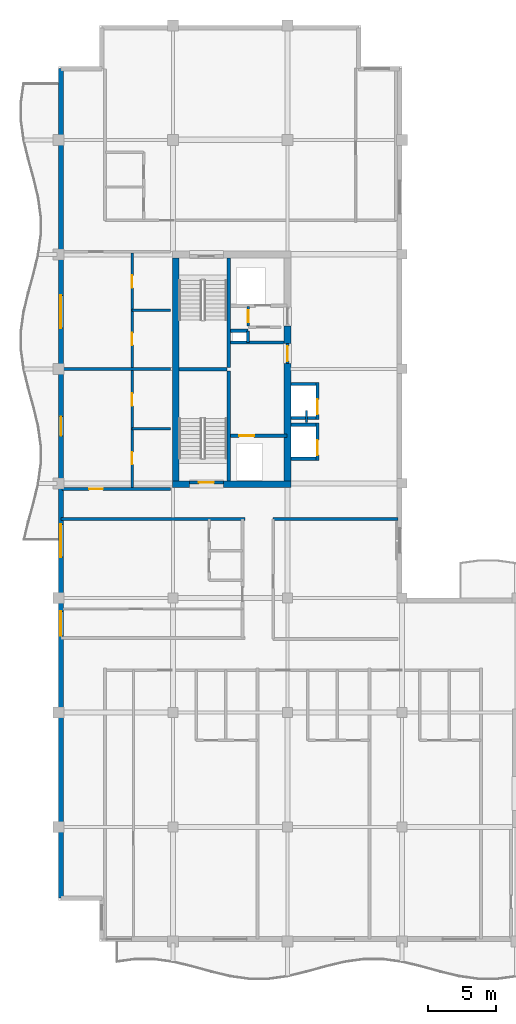
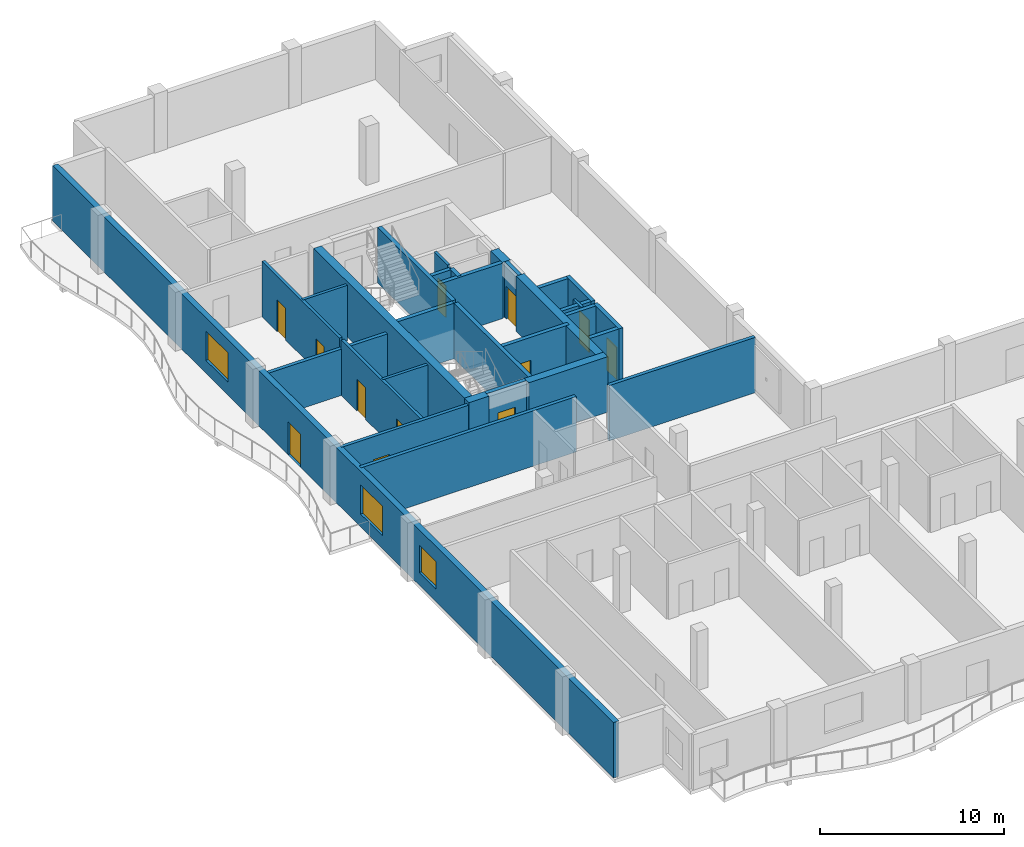
# One storey, part 6 of 11: 31 walls, 12 doors, 3 windows, 15 openings.
"""IFC4 building model written with IfcOpenShell, lengths in metres."""

import ifcopenshell
import ifcopenshell.guid

model = None  # the IFC model being written
_history = None  # IfcOwnerHistory: only IFC2X3 demands one
_inside = {}  # id of a spatial element -> (the spatial element, [elements in it])
_under = {}  # id of a project, library or spatial element -> (it, [spatial elements below it])
_declared = {}  # id of a project -> (the project, [libraries it declares])
_typed = {}  # id of a type object -> (the type object, [elements of that type])
_made_of = {}  # id of a material, layer set ... -> (it, [elements and type objects made of it])


def new_model(schema):
    """Start an empty IFC model of exactly this schema.

    Asked for "IFC4X3", IfcOpenShell would pick the latest addendum, in which some entities
    have other attributes; the version numbers below select the first issue.
    IFC2X3 requires an IfcOwnerHistory on every rooted entity: one is made here for all.
    """
    global model, _history
    if schema == "IFC4X3":
        model = ifcopenshell.file(schema_version=(4, 3, 0, 0))
    else:
        model = ifcopenshell.file(schema=schema)
    _inside.clear()
    _under.clear()
    _declared.clear()
    _typed.clear()
    _made_of.clear()
    _history = None
    if model.schema == "IFC2X3":
        org = make("IfcOrganization", Name="unknown")
        user = make(
            "IfcPersonAndOrganization",
            ThePerson=make("IfcPerson", FamilyName="unknown"),
            TheOrganization=org,
        )
        app = make(
            "IfcApplication",
            ApplicationDeveloper=org,
            Version="unknown",
            ApplicationFullName="unknown",
            ApplicationIdentifier="unknown",
        )
        _history = make(
            "IfcOwnerHistory",
            OwningUser=user,
            OwningApplication=app,
            ChangeAction="ADDED",
            CreationDate=0,
        )
    return model


def make(cls, **values):
    """One entity of the class cls with the attributes given. An attribute that is None is left unset."""
    return model.create_entity(
        cls, **{name: value for name, value in values.items() if value is not None}
    )


def rooted(cls, **values):
    """An entity with a GlobalId (a new one), such as an element, a storey or a relation."""
    return make(cls, GlobalId=ifcopenshell.guid.new(), OwnerHistory=_history, **values)


def si_unit(unit_type, name, prefix=None):
    """IfcSIUnit, for example si_unit("LENGTHUNIT", "METRE", prefix="MILLI")."""
    return make("IfcSIUnit", UnitType=unit_type, Prefix=prefix, Name=name)


def assignment(units):
    """IfcUnitAssignment: the units of a project."""
    return None if units is None else make("IfcUnitAssignment", Units=units)


def point(xyz):
    """IfcCartesianPoint."""
    return None if xyz is None else make("IfcCartesianPoint", Coordinates=xyz)


def direction(xyz):
    """IfcDirection."""
    return None if xyz is None else make("IfcDirection", DirectionRatios=xyz)


def frame(location, z_axis=None, x_axis=None):
    """IfcAxis2Placement3D, a coordinate frame: its origin and axes. An axis left out is left unset."""
    return make(
        "IfcAxis2Placement3D",
        Location=point(location),
        Axis=direction(z_axis),
        RefDirection=direction(x_axis),
    )


def frame_2d(location, x_axis=None):
    """IfcAxis2Placement2D, a coordinate frame in the plane: its origin and x axis."""
    return make(
        "IfcAxis2Placement2D", Location=point(location), RefDirection=direction(x_axis)
    )


def origin():
    """The frame at (0, 0, 0) with its axes left unset."""
    return frame((0.0, 0.0, 0.0))


def place(relative_to, where):
    """IfcLocalPlacement: puts the frame where relative to a parent placement (None: the world)."""
    return make(
        "IfcLocalPlacement", PlacementRelTo=relative_to, RelativePlacement=where
    )


def context(
    kind, dimensions, precision=None, world=None, true_north=None, identifier=None
):
    """IfcGeometricRepresentationContext, for example the 3D "Model" context."""
    return make(
        "IfcGeometricRepresentationContext",
        ContextIdentifier=identifier,
        ContextType=kind,
        CoordinateSpaceDimension=dimensions,
        Precision=precision,
        WorldCoordinateSystem=world,
        TrueNorth=true_north,
    )


def subcontext(parent, identifier, kind, view, scale=None):
    """IfcGeometricRepresentationSubContext, for example "Body" below "Model"."""
    return make(
        "IfcGeometricRepresentationSubContext",
        ContextIdentifier=identifier,
        ContextType=kind,
        ParentContext=parent,
        TargetScale=scale,
        TargetView=view,
    )


def project(units=None, contexts=None):
    """IfcProject with its units and contexts."""
    return rooted(
        "IfcProject",
        Name="project",
        RepresentationContexts=contexts,
        UnitsInContext=assignment(units),
    )


def spatial(cls, under=None, at=None, **own):
    """A site, building, storey or space (cls), placed at a placement, below another one or the project."""
    s = rooted(cls, ObjectPlacement=at, **own)
    if under is not None:
        _under.setdefault(under.id(), (under, []))[1].append(s)
    return s


def profile(cls, at=None, kind="AREA", **sizes):
    """A parametric profile (cls). Its sizes go by their IFC names, for example OverallWidth=200.0."""
    return make(cls, ProfileType=kind, Position=at, **sizes)


def rectangle(**sizes):
    """IfcRectangleProfileDef."""
    return profile("IfcRectangleProfileDef", **sizes)


def extrude(swept, where, along, depth):
    """IfcExtrudedAreaSolid: the profile swept, set in the frame where, extruded along a direction by depth."""
    return make(
        "IfcExtrudedAreaSolid",
        SweptArea=swept,
        Position=where,
        ExtrudedDirection=direction(along),
        Depth=depth,
    )


def shape(context_of_items, identifier, shape_type, items):
    """IfcShapeRepresentation: the items that make up one representation, for example the "Body"."""
    return make(
        "IfcShapeRepresentation",
        ContextOfItems=context_of_items,
        RepresentationIdentifier=identifier,
        RepresentationType=shape_type,
        Items=items,
    )


def material(Name=None, Category=None):
    """IfcMaterial."""
    return make("IfcMaterial", Name=Name, Category=Category)


def layer(
    of_material, thickness, ventilated=None, Name=None, Category=None, Priority=None
):
    """IfcMaterialLayer: one layer of a wall or slab, of a material (None: an air gap)."""
    return make(
        "IfcMaterialLayer",
        Material=of_material,
        LayerThickness=thickness,
        IsVentilated=ventilated,
        Name=Name,
        Category=Category,
        Priority=Priority,
    )


def layer_set(layers, Name=None):
    """IfcMaterialLayerSet."""
    return make("IfcMaterialLayerSet", MaterialLayers=layers, LayerSetName=Name)


def made_of(thing, what):
    """Note that an element or type object is made of a material, layer set ...; save() writes the relation."""
    if what is not None:
        _made_of.setdefault(what.id(), (what, []))[1].append(thing)
    return thing


def type_object(cls, material=None, **own):
    """A type object (cls), such as IfcWallType, which elements share."""
    return made_of(rooted(cls, **own), material)


def element(
    cls,
    number,
    at=None,
    inside=None,
    cuts=None,
    type_object=None,
    material=None,
    context=None,
    identifier="Body",
    shape_type=None,
    held_by="IfcProductDefinitionShape",
    body=None,
    shapes=None,
    **own,
):
    """One element of the class cls, such as IfcWall. Its Tag is "e" and its number.

    at: its placement. inside: the storey or other place that contains it. cuts: it is an
    opening in that element (IfcRelVoidsElement). A single representation is given by context,
    identifier, shape_type and body (its items); several are given by shapes. held_by: the class
    of the entity that holds the representations. save() writes the other relations.
    """
    e = rooted(cls, Tag="e%d" % number, ObjectPlacement=at, **own)
    if body is not None:
        shapes = [shape(context, identifier, shape_type, body)]
    if shapes is not None:
        e.Representation = make(held_by, Representations=shapes)
    if inside is not None:
        _inside.setdefault(inside.id(), (inside, []))[1].append(e)
    if cuts is not None:
        rooted(
            "IfcRelVoidsElement", RelatingBuildingElement=cuts, RelatedOpeningElement=e
        )
    if type_object is not None:
        _typed.setdefault(type_object.id(), (type_object, []))[1].append(e)
    return made_of(e, material)


def fill(opening, filler):
    """IfcRelFillsElement: the door or window that sits in an opening."""
    return rooted(
        "IfcRelFillsElement",
        RelatingOpeningElement=opening,
        RelatedBuildingElement=filler,
    )


def aggregate(whole, parts):
    """IfcRelAggregates: a whole, such as a stair, and the parts it consists of."""
    return rooted("IfcRelAggregates", RelatingObject=whole, RelatedObjects=parts)


def save(model, path):
    """Write the relations noted so far, then the file.

    IfcRelAggregates (storeys below a building ...), IfcRelContainedInSpatialStructure (elements
    in a storey), IfcRelDefinesByType, IfcRelAssociatesMaterial and IfcRelDeclares: one each for
    every whole, place, type object, material and project.
    """
    for whole, parts in _under.values():
        aggregate(whole, parts)
    for where, things in _inside.values():
        rooted(
            "IfcRelContainedInSpatialStructure",
            RelatedElements=things,
            RelatingStructure=where,
        )
    for kind, things in _typed.values():
        rooted("IfcRelDefinesByType", RelatedObjects=things, RelatingType=kind)
    for what, things in _made_of.values():
        rooted("IfcRelAssociatesMaterial", RelatedObjects=things, RelatingMaterial=what)
    for by, libraries in _declared.values():
        rooted("IfcRelDeclares", RelatingContext=by, RelatedDefinitions=libraries)
    model.write(path)


model = new_model("IFC4")

# Units and contexts
model_context = context("Model", 3, precision=1e-05, world=origin(), true_north=direction((0.0, 1.0)))
body_context = subcontext(model_context, "Body", "Model", "MODEL_VIEW")
ifc_project = project(units=[si_unit("LENGTHUNIT", "METRE"), si_unit("AREAUNIT", "SQUARE_METRE"), si_unit("VOLUMEUNIT", "CUBIC_METRE"), si_unit("PLANEANGLEUNIT", "RADIAN"), si_unit("MASSUNIT", "GRAM", prefix="KILO")], contexts=[model_context])

# Site, building, storey
site_placement = place(None, origin())
site = spatial("IfcSite", under=ifc_project, at=site_placement, CompositionType="ELEMENT")
building_placement = place(site_placement, origin())
building = spatial("IfcBuilding", under=site, at=building_placement, Name="Koriwani Terraces Tower", CompositionType="ELEMENT")
storey_placement = place(building_placement, frame((0.0, 0.0, 320.300048828125)))
storey = spatial("IfcBuildingStorey", under=building, at=storey_placement, Name="L79", CompositionType="ELEMENT", Elevation=320.300048828125)

# Walls
ifc_material_1 = material(Name="Concrete C50/60", Category="concrete")
ifc_layer_1 = layer(ifc_material_1, 0.5, Name="Concrete C50/60")
ifc_layer_set_1 = layer_set([ifc_layer_1], Name="Concrete C50/60")
wall_type_1 = type_object("IfcWallType", Name="WALL_CORE_RC_500", PredefinedType="SHEAR", material=ifc_layer_set_1)
wall_1_placement = place(storey_placement, frame((16.75, 41.949951171875, 0.0), z_axis=(0.0, 0.0, 1.0), x_axis=(1.0, 0.0, 0.0)))
element("IfcWall", 1, at=wall_1_placement, inside=storey, type_object=wall_type_1, Name="L79 West Split Core Shear Wall S1", PredefinedType="SHEAR", context=body_context, shape_type="SweptSolid", body=[
    extrude(rectangle(XDim=1.25, YDim=0.5, at=frame_2d((0.625, 0.0))), origin(), (0.0, 0.0, 1.0), 3.669921875),
])
wall_2_placement = place(storey_placement, frame((20.5, 41.949951171875, 0.0), z_axis=(0.0, 0.0, 1.0), x_axis=(1.0, 0.0, 0.0)))
element("IfcWall", 2, at=wall_2_placement, inside=storey, type_object=wall_type_1, Name="L79 West Split Core Shear Wall S2", PredefinedType="SHEAR", context=body_context, shape_type="SweptSolid", body=[
    extrude(rectangle(XDim=4.949951171875, YDim=0.5, at=frame_2d((2.47509765625, 0.0))), origin(), (0.0, 0.0, 1.0), 3.669921875),
])
wall_3_placement = place(storey_placement, frame((17.0, 42.199951171875, 0.0), z_axis=(0.0, 0.0, 1.0), x_axis=(0.0, 1.0, 0.0)))
element("IfcWall", 3, at=wall_3_placement, inside=storey, type_object=wall_type_1, Name="L79 West Split Core Shear Wall W1", PredefinedType="SHEAR", context=body_context, shape_type="SweptSolid", body=[
    extrude(rectangle(XDim=16.35009765625, YDim=0.5, at=frame_2d((8.175048828125, 0.0))), origin(), (0.0, 0.0, 1.0), 3.669921875),
])
wall_4_placement = place(storey_placement, frame((25.199951171875, 42.199951171875, 0.0), z_axis=(0.0, 0.0, 1.0), x_axis=(0.0, 1.0, 0.0)))
element("IfcWall", 4, at=wall_4_placement, inside=storey, type_object=wall_type_1, Name="L79 West Split Core Shear Wall E1", PredefinedType="SHEAR", context=body_context, shape_type="SweptSolid", body=[
    extrude(rectangle(XDim=8.60009765625, YDim=0.5, at=frame_2d((4.300048828125, 0.0))), origin(), (0.0, 0.0, 1.0), 3.669921875),
])
wall_5_placement = place(storey_placement, frame((25.199951171875, 52.280029296875, 0.0), z_axis=(0.0, 0.0, 1.0), x_axis=(0.0, 1.0, 0.0)))
element("IfcWall", 5, at=wall_5_placement, inside=storey, type_object=wall_type_1, Name="L79 West Split Core Shear Wall E2", PredefinedType="SHEAR", context=body_context, shape_type="SweptSolid", body=[
    extrude(rectangle(XDim=1.27001953125, YDim=0.5, at=frame_2d((0.635009765625, 0.0))), origin(), (0.0, 0.0, 1.0), 3.669921875),
])

# Wall, opening, door
ifc_material_2 = material(Name="Autoclaved Cellular Concrete Blockwork", Category="masonry")
ifc_layer_2 = layer(ifc_material_2, 0.199951171875, Name="Autoclaved Cellular Concrete Blockwork")
ifc_layer_set_2 = layer_set([ifc_layer_2], Name="Autoclaved Cellular Concrete Blockwork")
wall_type_2 = type_object("IfcWallType", Name="WALL_CORRIDOR_200", PredefinedType="PARTITIONING", material=ifc_layer_set_2)
wall_6_placement = place(storey_placement, frame((8.64990234375, 41.60009765625, 0.0), z_axis=(0.0, 0.0, 1.0), x_axis=(1.0, 0.0, 0.0)))
wall_6 = element("IfcWall", 6, at=wall_6_placement, inside=storey, type_object=wall_type_2, Name="L79 Interior Wall WRZ4-WS-L79", PredefinedType="PARTITIONING", context=body_context, shape_type="SweptSolid", body=[
    extrude(rectangle(XDim=7.9501953125, YDim=0.199951171875, at=frame_2d((3.97509765625, 0.0))), origin(), (0.0, 0.0, 1.0), 3.669921875),
])
opening_1_placement = place(wall_6_placement, frame((2.0, 0.0, 0.0)))
opening_1 = element("IfcOpeningElement", 7, at=opening_1_placement, cuts=wall_6, Name="Opening D-05", PredefinedType="OPENING", context=body_context, shape_type="SweptSolid", body=[
    extrude(rectangle(XDim=1.0, YDim=2.14990234375, at=frame_2d((0.5, 1.074951171875))), frame((0.0, 0.10986328125, 0.0), z_axis=(0.0, -1.0, 0.0), x_axis=(1.0, 0.0, 0.0)), (0.0, 0.0, 1.0), 0.219970703125),
])
ifc_material_3 = material(Name="Architectural Oak Fire Door", Category="wood")
door_type_1 = type_object("IfcDoorType", Name="DOOR_SUITE_ENTRY_1000X2150", OperationType="NOTDEFINED", PredefinedType="DOOR", material=ifc_material_3)
door_1_placement = place(opening_1_placement, origin())
door_1 = element("IfcDoor", 8, at=door_1_placement, inside=storey, type_object=door_type_1, Name="Apartment 79RW1 Entrance Door", OperationType="SINGLE_SWING_RIGHT", OverallHeight=2.14990234375, OverallWidth=1.0, PredefinedType="DOOR", context=body_context, shape_type="SweptSolid", body=[
    extrude(rectangle(XDim=1.0, YDim=2.14990234375, at=frame_2d((0.5, 1.074951171875))), frame((0.0, 0.02490234375, 0.0), z_axis=(0.0, -1.0, 0.0), x_axis=(1.0, 0.0, 0.0)), (0.0, 0.0, 1.0), 0.050048828125),
])
fill(opening_1, door_1)

# Walls
ifc_layer_3 = layer(ifc_material_2, 0.219970703125, Name="Autoclaved Cellular Concrete Blockwork")
ifc_layer_set_3 = layer_set([ifc_layer_3], Name="Autoclaved Cellular Concrete Blockwork")
wall_type_3 = type_object("IfcWallType", Name="WALL_DEMISING_220", PredefinedType="PARTITIONING", material=ifc_layer_set_3)
wall_7_placement = place(storey_placement, frame((24.14990234375, 39.39990234375, 0.0), z_axis=(0.0, 0.0, 1.0), x_axis=(1.0, 0.0, 0.0)))
element("IfcWall", 9, at=wall_7_placement, inside=storey, type_object=wall_type_3, Name="L79 Interior Wall WIC4WN-L79", PredefinedType="PARTITIONING", context=body_context, shape_type="SweptSolid", body=[
    extrude(rectangle(XDim=9.150146484375, YDim=0.219970703125, at=frame_2d((4.5751953125, 0.0))), origin(), (0.0, 0.0, 1.0), 3.669921875),
])
wall_8_placement = place(storey_placement, frame((8.64990234375, 50.39990234375, 0.0), z_axis=(0.0, 0.0, 1.0), x_axis=(1.0, 0.0, 0.0)))
element("IfcWall", 10, at=wall_8_placement, inside=storey, type_object=wall_type_3, Name="L79 Interior Wall WRZ4-WM-L79", PredefinedType="PARTITIONING", context=body_context, shape_type="SweptSolid", body=[
    extrude(rectangle(XDim=7.9501953125, YDim=0.219970703125, at=frame_2d((3.97509765625, 0.0))), origin(), (0.0, 0.0, 1.0), 3.070068359375),
])
wall_9_placement = place(storey_placement, frame((8.60009765625, 39.39990234375, 0.0), z_axis=(0.0, 0.0, 1.0), x_axis=(1.0, 0.0, 0.0)))
element("IfcWall", 11, at=wall_9_placement, inside=storey, type_object=wall_type_3, Name="L79 Interior Wall WRDEME-L79-NE", PredefinedType="PARTITIONING", context=body_context, shape_type="SweptSolid", body=[
    extrude(rectangle(XDim=13.47998046875, YDim=0.219970703125, at=frame_2d((6.739990234375, 0.0))), origin(), (0.0, 0.0, 1.0), 3.669921875),
])

# Wall, openings, door, windows
ifc_layer_4 = layer(ifc_material_1, 0.35009765625, Name="Concrete C50/60")
ifc_layer_set_4 = layer_set([ifc_layer_4], Name="Concrete C50/60")
wall_type_4 = type_object("IfcWallType", Name="WALL_EXT_BRUTALIST_350", PredefinedType="STANDARD", material=ifc_layer_set_4)
wall_10_placement = place(storey_placement, frame((8.574951171875, 11.574951171875, 0.0), z_axis=(0.0, 0.0, 1.0), x_axis=(0.0, 1.0, 0.0)))
wall_10 = element("IfcWall", 12, at=wall_10_placement, inside=storey, type_object=wall_type_4, Name="L79 Fair-Faced Brutalist Exterior Wall (W)", PredefinedType="STANDARD", context=body_context, shape_type="SweptSolid", body=[
    extrude(rectangle(XDim=60.85009765625, YDim=0.35009765625, at=frame_2d((30.425048828125, 0.0))), origin(), (0.0, 0.0, 1.0), 3.669921875),
])
opening_2_placement = place(wall_10_placement, frame((33.925048828125, 0.0, 0.0)))
opening_2 = element("IfcOpeningElement", 13, at=opening_2_placement, cuts=wall_10, Name="Opening D-09", PredefinedType="OPENING", context=body_context, shape_type="SweptSolid", body=[
    extrude(rectangle(XDim=1.39990234375, YDim=2.199951171875, at=frame_2d((0.699951171875, 1.10009765625))), frame((0.0, 0.18505859375, 0.0), z_axis=(0.0, -1.0, 0.0), x_axis=(1.0, 0.0, 0.0)), (0.0, 0.0, 1.0), 0.3701171875),
])
opening_3_placement = place(wall_10_placement, frame((25.02490234375, 0.0, 0.85009765625)))
opening_3 = element("IfcOpeningElement", 14, at=opening_3_placement, cuts=wall_10, Name="Opening W-03", PredefinedType="OPENING", context=body_context, shape_type="SweptSolid", body=[
    extrude(rectangle(XDim=2.39990234375, YDim=1.949951171875, at=frame_2d((1.199951171875, 0.97509765625))), frame((0.0, 0.18505859375, 0.0), z_axis=(0.0, -1.0, 0.0), x_axis=(1.0, 0.0, 0.0)), (0.0, 0.0, 1.0), 0.3701171875),
])
opening_4_placement = place(wall_10_placement, frame((41.824951171875, 0.0, 0.85009765625)))
opening_4 = element("IfcOpeningElement", 15, at=opening_4_placement, cuts=wall_10, Name="Opening W-03", PredefinedType="OPENING", context=body_context, shape_type="SweptSolid", body=[
    extrude(rectangle(XDim=2.39990234375, YDim=1.949951171875, at=frame_2d((1.199951171875, 0.97509765625))), frame((0.0, 0.18505859375, 0.0), z_axis=(0.0, -1.0, 0.0), x_axis=(1.0, 0.0, 0.0)), (0.0, 0.0, 1.0), 0.3701171875),
])
opening_5_placement = place(wall_10_placement, frame((19.25, 0.0, 0.85009765625)))
opening_5 = element("IfcOpeningElement", 16, at=opening_5_placement, cuts=wall_10, Name="Opening W-04", PredefinedType="OPENING", context=body_context, shape_type="SweptSolid", body=[
    extrude(rectangle(XDim=1.800048828125, YDim=1.800048828125, at=frame_2d((0.89990234375, 0.89990234375))), frame((0.0, 0.18505859375, 0.0), z_axis=(0.0, -1.0, 0.0), x_axis=(1.0, 0.0, 0.0)), (0.0, 0.0, 1.0), 0.3701171875),
])
ifc_material_4 = material(Name="Anodised Bronze Aluminium", Category="aluminium")
door_type_2 = type_object("IfcDoorType", Name="DOOR_BALCONY_GLAZED_1400X2200", OperationType="NOTDEFINED", PredefinedType="DOOR", material=ifc_material_4)
door_2_placement = place(opening_2_placement, origin())
door_2 = element("IfcDoor", 17, at=door_2_placement, inside=storey, type_object=door_type_2, Name="L79 West Balcony Glazed Door", OperationType="SINGLE_SWING_LEFT", OverallHeight=2.199951171875, OverallWidth=1.39990234375, PredefinedType="DOOR", context=body_context, shape_type="SweptSolid", body=[
    extrude(rectangle(XDim=1.39990234375, YDim=2.199951171875, at=frame_2d((0.699951171875, 1.10009765625))), frame((0.0, 0.02490234375, 0.0), z_axis=(0.0, -1.0, 0.0), x_axis=(1.0, 0.0, 0.0)), (0.0, 0.0, 1.0), 0.050048828125),
])
fill(opening_2, door_2)
ifc_material_5 = material(Name="Tempered Laminated Low-E Glass", Category="glass")
window_type_1 = type_object("IfcWindowType", Name="WIN_RES_BED_1800X1800", PartitioningType="DOUBLE_PANEL_VERTICAL", PredefinedType="WINDOW", material=ifc_material_5)
window_1_placement = place(opening_5_placement, origin())
window_1 = element("IfcWindow", 18, at=window_1_placement, inside=storey, type_object=window_type_1, Name="L79 Exterior Window (W-R44)", OverallHeight=1.800048828125, OverallWidth=1.800048828125, PartitioningType="SINGLE_PANEL", PredefinedType="WINDOW", context=body_context, shape_type="SweptSolid", body=[
    extrude(rectangle(XDim=1.800048828125, YDim=1.800048828125, at=frame_2d((0.89990234375, 0.89990234375))), frame((0.0, 0.030029296875, 0.0), z_axis=(0.0, -1.0, 0.0), x_axis=(1.0, 0.0, 0.0)), (0.0, 0.0, 1.0), 0.06005859375),
])
fill(opening_5, window_1)
window_type_2 = type_object("IfcWindowType", Name="WIN_RES_LIVING_2400X1950", PartitioningType="DOUBLE_PANEL_VERTICAL", PredefinedType="WINDOW", material=ifc_material_5)
window_2_placement = place(opening_3_placement, origin())
window_2 = element("IfcWindow", 19, at=window_2_placement, inside=storey, type_object=window_type_2, Name="L79 Exterior Window (W-9)", OverallHeight=1.949951171875, OverallWidth=2.39990234375, PartitioningType="SINGLE_PANEL", PredefinedType="WINDOW", context=body_context, shape_type="SweptSolid", body=[
    extrude(rectangle(XDim=2.39990234375, YDim=1.949951171875, at=frame_2d((1.199951171875, 0.97509765625))), frame((0.0, 0.030029296875, 0.0), z_axis=(0.0, -1.0, 0.0), x_axis=(1.0, 0.0, 0.0)), (0.0, 0.0, 1.0), 0.06005859375),
])
fill(opening_3, window_2)
window_3_placement = place(opening_4_placement, origin())
window_3 = element("IfcWindow", 20, at=window_3_placement, inside=storey, type_object=window_type_2, Name="L79 Exterior Window (W-15)", OverallHeight=1.949951171875, OverallWidth=2.39990234375, PartitioningType="SINGLE_PANEL", PredefinedType="WINDOW", context=body_context, shape_type="SweptSolid", body=[
    extrude(rectangle(XDim=2.39990234375, YDim=1.949951171875, at=frame_2d((1.199951171875, 0.97509765625))), frame((0.0, 0.030029296875, 0.0), z_axis=(0.0, -1.0, 0.0), x_axis=(1.0, 0.0, 0.0)), (0.0, 0.0, 1.0), 0.06005859375),
])
fill(opening_4, window_3)

# Wall, openings, doors
ifc_material_6 = material(Name="Fire-Rated Acoustic Gypsum Partition", Category="masonry")
ifc_layer_5 = layer(ifc_material_6, 0.179931640625, Name="Fire-Rated Acoustic Gypsum Partition")
ifc_layer_set_5 = layer_set([ifc_layer_5], Name="Fire-Rated Acoustic Gypsum Partition")
wall_type_5 = type_object("IfcWallType", Name="WALL_PLUMBING_180", PredefinedType="PLUMBINGWALL", material=ifc_layer_set_5)
wall_11_placement = place(storey_placement, frame((13.800048828125, 41.699951171875, 0.0), z_axis=(0.0, 0.0, 1.0), x_axis=(0.0, 1.0, 0.0)))
wall_11 = element("IfcWall", 21, at=wall_11_placement, inside=storey, type_object=wall_type_5, Name="L79 Interior Wall WRZ4-RW1-PB-L79", PredefinedType="PLUMBINGWALL", context=body_context, shape_type="SweptSolid", body=[
    extrude(rectangle(XDim=8.60009765625, YDim=0.179931640625, at=frame_2d((4.300048828125, 0.0))), origin(), (0.0, 0.0, 1.0), 3.669921875),
])
opening_6_placement = place(wall_11_placement, frame((1.699951171875, 0.0, 0.0)))
opening_6 = element("IfcOpeningElement", 22, at=opening_6_placement, cuts=wall_11, Name="Opening D-07", PredefinedType="OPENING", context=body_context, shape_type="SweptSolid", body=[
    extrude(rectangle(XDim=0.89990234375, YDim=2.10009765625, at=frame_2d((0.449951171875, 1.050048828125))), frame((0.0, 0.10009765625, 0.0), z_axis=(0.0, -1.0, 0.0), x_axis=(1.0, 0.0, 0.0)), (0.0, 0.0, 1.0), 0.199951171875),
])
opening_7_placement = place(wall_11_placement, frame((5.989990234375, 0.0, 0.0)))
opening_7 = element("IfcOpeningElement", 23, at=opening_7_placement, cuts=wall_11, Name="Opening D-06", PredefinedType="OPENING", context=body_context, shape_type="SweptSolid", body=[
    extrude(rectangle(XDim=0.919921875, YDim=2.10009765625, at=frame_2d((0.4599609375, 1.050048828125))), frame((0.0, 0.10009765625, 0.0), z_axis=(0.0, -1.0, 0.0), x_axis=(1.0, 0.0, 0.0)), (0.0, 0.0, 1.0), 0.199951171875),
])
door_type_3 = type_object("IfcDoorType", Name="DOOR_BATH_INT_900X2100", OperationType="NOTDEFINED", PredefinedType="DOOR", material=ifc_material_3)
door_3_placement = place(opening_6_placement, origin())
door_3 = element("IfcDoor", 24, at=door_3_placement, inside=storey, type_object=door_type_3, Name="Apartment 79RW1 Bathroom Door", OperationType="SINGLE_SWING_RIGHT", OverallHeight=2.10009765625, OverallWidth=0.89990234375, PredefinedType="DOOR", context=body_context, shape_type="SweptSolid", body=[
    extrude(rectangle(XDim=0.89990234375, YDim=2.10009765625, at=frame_2d((0.449951171875, 1.050048828125))), frame((0.0, 0.02490234375, 0.0), z_axis=(0.0, -1.0, 0.0), x_axis=(1.0, 0.0, 0.0)), (0.0, 0.0, 1.0), 0.050048828125),
])
fill(opening_6, door_3)
door_type_4 = type_object("IfcDoorType", Name="DOOR_ROOM_INT_920X2100", OperationType="NOTDEFINED", PredefinedType="DOOR", material=ifc_material_3)
door_4_placement = place(opening_7_placement, origin())
door_4 = element("IfcDoor", 25, at=door_4_placement, inside=storey, type_object=door_type_4, Name="Apartment 79RW1 Kitchen Door", OperationType="SINGLE_SWING_LEFT", OverallHeight=2.10009765625, OverallWidth=0.919921875, PredefinedType="DOOR", context=body_context, shape_type="SweptSolid", body=[
    extrude(rectangle(XDim=0.919921875, YDim=2.10009765625, at=frame_2d((0.4599609375, 1.050048828125))), frame((0.0, 0.02490234375, 0.0), z_axis=(0.0, -1.0, 0.0), x_axis=(1.0, 0.0, 0.0)), (0.0, 0.0, 1.0), 0.050048828125),
])
fill(opening_7, door_4)

# Wall
wall_12_placement = place(storey_placement, frame((13.800048828125, 46.0, 0.0), z_axis=(0.0, 0.0, 1.0), x_axis=(1.0, 0.0, 0.0)))
element("IfcWall", 26, at=wall_12_placement, inside=storey, type_object=wall_type_5, Name="L79 Interior Wall WRZ4-RW1-P2-L79", PredefinedType="PLUMBINGWALL", context=body_context, shape_type="SweptSolid", body=[
    extrude(rectangle(XDim=2.800048828125, YDim=0.179931640625, at=frame_2d((1.39990234375, 0.0))), origin(), (0.0, 0.0, 1.0), 3.669921875),
])

# Wall, openings, doors
wall_13_placement = place(storey_placement, frame((13.800048828125, 50.5, 0.0), z_axis=(0.0, 0.0, 1.0), x_axis=(0.0, 1.0, 0.0)))
wall_13 = element("IfcWall", 27, at=wall_13_placement, inside=storey, type_object=wall_type_5, Name="L79 Interior Wall WRZ4-RW2-PB-L79", PredefinedType="PLUMBINGWALL", context=body_context, shape_type="SweptSolid", body=[
    extrude(rectangle(XDim=8.39990234375, YDim=0.179931640625, at=frame_2d((4.199951171875, 0.0))), origin(), (0.0, 0.0, 1.0), 3.669921875),
])
opening_8_placement = place(wall_13_placement, frame((1.64990234375, 0.0, 0.0)))
opening_8 = element("IfcOpeningElement", 28, at=opening_8_placement, cuts=wall_13, Name="Opening D-07", PredefinedType="OPENING", context=body_context, shape_type="SweptSolid", body=[
    extrude(rectangle(XDim=0.89990234375, YDim=2.10009765625, at=frame_2d((0.449951171875, 1.050048828125))), frame((0.0, 0.10009765625, 0.0), z_axis=(0.0, -1.0, 0.0), x_axis=(1.0, 0.0, 0.0)), (0.0, 0.0, 1.0), 0.199951171875),
])
opening_9_placement = place(wall_13_placement, frame((5.840087890625, 0.0, 0.0)))
opening_9 = element("IfcOpeningElement", 29, at=opening_9_placement, cuts=wall_13, Name="Opening D-06", PredefinedType="OPENING", context=body_context, shape_type="SweptSolid", body=[
    extrude(rectangle(XDim=0.919921875, YDim=2.10009765625, at=frame_2d((0.4599609375, 1.050048828125))), frame((0.0, 0.10009765625, 0.0), z_axis=(0.0, -1.0, 0.0), x_axis=(1.0, 0.0, 0.0)), (0.0, 0.0, 1.0), 0.199951171875),
])
door_5_placement = place(opening_8_placement, origin())
door_5 = element("IfcDoor", 30, at=door_5_placement, inside=storey, type_object=door_type_3, Name="Apartment 79RW2 Bathroom Door", OperationType="SINGLE_SWING_RIGHT", OverallHeight=2.10009765625, OverallWidth=0.89990234375, PredefinedType="DOOR", context=body_context, shape_type="SweptSolid", body=[
    extrude(rectangle(XDim=0.89990234375, YDim=2.10009765625, at=frame_2d((0.449951171875, 1.050048828125))), frame((0.0, 0.02490234375, 0.0), z_axis=(0.0, -1.0, 0.0), x_axis=(1.0, 0.0, 0.0)), (0.0, 0.0, 1.0), 0.050048828125),
])
fill(opening_8, door_5)
door_6_placement = place(opening_9_placement, origin())
door_6 = element("IfcDoor", 31, at=door_6_placement, inside=storey, type_object=door_type_4, Name="Apartment 79RW2 Kitchen Door", OperationType="SINGLE_SWING_LEFT", OverallHeight=2.10009765625, OverallWidth=0.919921875, PredefinedType="DOOR", context=body_context, shape_type="SweptSolid", body=[
    extrude(rectangle(XDim=0.919921875, YDim=2.10009765625, at=frame_2d((0.4599609375, 1.050048828125))), frame((0.0, 0.02490234375, 0.0), z_axis=(0.0, -1.0, 0.0), x_axis=(1.0, 0.0, 0.0)), (0.0, 0.0, 1.0), 0.050048828125),
])
fill(opening_9, door_6)

# Walls
wall_14_placement = place(storey_placement, frame((13.800048828125, 54.699951171875, 0.0), z_axis=(0.0, 0.0, 1.0), x_axis=(1.0, 0.0, 0.0)))
element("IfcWall", 32, at=wall_14_placement, inside=storey, type_object=wall_type_5, Name="L79 Interior Wall WRZ4-RW2-P2-L79", PredefinedType="PLUMBINGWALL", context=body_context, shape_type="SweptSolid", body=[
    extrude(rectangle(XDim=2.800048828125, YDim=0.179931640625, at=frame_2d((1.39990234375, 0.0))), origin(), (0.0, 0.0, 1.0), 3.669921875),
])
ifc_material_7 = material(Name="Concrete C40/50", Category="concrete")
ifc_layer_6 = layer(ifc_material_7, 0.25, Name="Concrete C40/50")
ifc_layer_set_6 = layer_set([ifc_layer_6], Name="Concrete C40/50")
wall_type_6 = type_object("IfcWallType", Name="WALL_SHAFT_RATED_250", PredefinedType="SOLIDWALL", material=ifc_layer_set_6)
for number, where, z_axis, x_axis, name in (
    (33, (20.875, 42.199951171875, 0.0), (0.0, 0.0, 1.0), (0.0, 1.0, 0.0), "L79 West Split Core Web Wall MID1"),
    (34, (20.875, 50.5, 0.0), (0.0, 0.0, 1.0), (0.0, 1.0, 0.0), "L79 West Split Core Web Wall MID2"),
):
    element("IfcWall", number, at=place(storey_placement, frame(where, z_axis=z_axis, x_axis=x_axis)), inside=storey, type_object=wall_type_6, Name=name, PredefinedType="SOLIDWALL", context=body_context, shape_type="SweptSolid", body=[
        extrude(rectangle(XDim=8.050048828125, YDim=0.25, at=frame_2d((4.02490234375, 0.0))), origin(), (0.0, 0.0, 1.0), 3.669921875),
    ])
wall_15_placement = place(storey_placement, frame((17.25, 50.375, 0.0), z_axis=(0.0, 0.0, 1.0), x_axis=(1.0, 0.0, 0.0)))
element("IfcWall", 35, at=wall_15_placement, inside=storey, type_object=wall_type_6, Name="L79 West Split Core Stair Dividing Wall", PredefinedType="SOLIDWALL", context=body_context, shape_type="SweptSolid", body=[
    extrude(rectangle(XDim=3.5, YDim=0.25, at=frame_2d((1.75, 0.0))), origin(), (0.0, 0.0, 1.0), 3.669921875),
])

# Wall, opening, door
wall_16_placement = place(storey_placement, frame((18.0, 42.074951171875, 0.0), z_axis=(0.0, 0.0, 1.0), x_axis=(1.0, 0.0, 0.0)))
wall_16 = element("IfcWall", 36, at=wall_16_placement, inside=storey, type_object=wall_type_6, Name="L79 Interior Wall WIN-CW-L79-STS", PredefinedType="SOLIDWALL", context=body_context, shape_type="SweptSolid", body=[
    extrude(rectangle(XDim=2.5, YDim=0.25, at=frame_2d((1.25, 0.0))), origin(), (0.0, 0.0, 1.0), 3.669921875),
])
opening_10_placement = place(wall_16_placement, frame((0.699951171875, 0.0, 0.0)))
opening_10 = element("IfcOpeningElement", 37, at=opening_10_placement, cuts=wall_16, Name="Opening D-03", PredefinedType="OPENING", context=body_context, shape_type="SweptSolid", body=[
    extrude(rectangle(XDim=1.10009765625, YDim=2.14990234375, at=frame_2d((0.550048828125, 1.074951171875))), frame((0.0, 0.135009765625, 0.0), z_axis=(0.0, -1.0, 0.0), x_axis=(1.0, 0.0, 0.0)), (0.0, 0.0, 1.0), 0.27001953125),
])
ifc_material_8 = material(Name="Steel ASTM A572 Grade 50", Category="steel")
door_type_5 = type_object("IfcDoorType", Name="DOOR_STAIR_FIRE_1100X2150", OperationType="NOTDEFINED", PredefinedType="DOOR", material=ifc_material_8)
door_7_placement = place(opening_10_placement, origin())
door_7 = element("IfcDoor", 38, at=door_7_placement, inside=storey, type_object=door_type_5, Name="L79 Exit Stair ST-W1 Door", OperationType="SINGLE_SWING_LEFT", OverallHeight=2.14990234375, OverallWidth=1.10009765625, PredefinedType="DOOR", context=body_context, shape_type="SweptSolid", body=[
    extrude(rectangle(XDim=1.10009765625, YDim=2.14990234375, at=frame_2d((0.550048828125, 1.074951171875))), frame((0.0, 0.02490234375, 0.0), z_axis=(0.0, -1.0, 0.0), x_axis=(1.0, 0.0, 0.0)), (0.0, 0.0, 1.0), 0.050048828125),
])
fill(opening_10, door_7)

wall_17_placement = place(storey_placement, frame((21.0, 45.5, 0.0), z_axis=(0.0, 0.0, 1.0), x_axis=(1.0, 0.0, 0.0)))
wall_17 = element("IfcWall", 39, at=wall_17_placement, inside=storey, type_object=wall_type_6, Name="L79 Interior Wall WIN-CW-L79-FE", PredefinedType="SOLIDWALL", context=body_context, shape_type="SweptSolid", body=[
    extrude(rectangle(XDim=4.14990234375, YDim=0.25, at=frame_2d((2.074951171875, 0.0))), origin(), (0.0, 0.0, 1.0), 3.669921875),
])
opening_11_placement = place(wall_17_placement, frame((0.64990234375, 0.0, 0.0)))
opening_11 = element("IfcOpeningElement", 40, at=opening_11_placement, cuts=wall_17, Name="Opening LD-01", PredefinedType="OPENING", context=body_context, shape_type="SweptSolid", body=[
    extrude(rectangle(XDim=1.10009765625, YDim=2.14990234375, at=frame_2d((0.550048828125, 1.074951171875))), frame((0.0, 0.135009765625, 0.0), z_axis=(0.0, -1.0, 0.0), x_axis=(1.0, 0.0, 0.0)), (0.0, 0.0, 1.0), 0.27001953125),
])
door_type_6 = type_object("IfcDoorType", Name="DOOR_LIFT_LANDING_1100X2200", OperationType="NOTDEFINED", PredefinedType="DOOR", material=ifc_material_8)
door_8_placement = place(opening_11_placement, origin())
door_8 = element("IfcDoor", 41, at=door_8_placement, inside=storey, type_object=door_type_6, Name="L79 Firefighting Lift FE-01 Landing Door", OperationType="SLIDING_TO_LEFT", OverallHeight=2.14990234375, OverallWidth=1.10009765625, PredefinedType="DOOR", context=body_context, shape_type="SweptSolid", body=[
    extrude(rectangle(XDim=1.10009765625, YDim=2.14990234375, at=frame_2d((0.550048828125, 1.074951171875))), frame((0.0, 0.02490234375, 0.0), z_axis=(0.0, -1.0, 0.0), x_axis=(1.0, 0.0, 0.0)), (0.0, 0.0, 1.0), 0.050048828125),
])
fill(opening_11, door_8)

wall_18_placement = place(storey_placement, frame((25.199951171875, 50.800048828125, 0.0), z_axis=(0.0, 0.0, 1.0), x_axis=(0.0, 1.0, 0.0)))
wall_18 = element("IfcWall", 42, at=wall_18_placement, inside=storey, type_object=wall_type_6, Name="L79 Interior Wall WIN-CW-L79-EP", PredefinedType="SOLIDWALL", context=body_context, shape_type="SweptSolid", body=[
    extrude(rectangle(XDim=1.47998046875, YDim=0.25, at=frame_2d((0.739990234375, 0.0))), origin(), (0.0, 0.0, 1.0), 3.669921875),
])
opening_12_placement = place(wall_18_placement, frame((0.179931640625, 0.0, 0.0)))
opening_12 = element("IfcOpeningElement", 43, at=opening_12_placement, cuts=wall_18, Name="Opening D-03", PredefinedType="OPENING", context=body_context, shape_type="SweptSolid", body=[
    extrude(rectangle(XDim=1.10009765625, YDim=2.14990234375, at=frame_2d((0.550048828125, 1.074951171875))), frame((0.0, 0.135009765625, 0.0), z_axis=(0.0, -1.0, 0.0), x_axis=(1.0, 0.0, 0.0)), (0.0, 0.0, 1.0), 0.27001953125),
])
door_9_placement = place(opening_12_placement, origin())
door_9 = element("IfcDoor", 44, at=door_9_placement, inside=storey, type_object=door_type_5, Name="L79 West Firefighting Lobby Door", OperationType="SINGLE_SWING_LEFT", OverallHeight=2.14990234375, OverallWidth=1.10009765625, PredefinedType="DOOR", context=body_context, shape_type="SweptSolid", body=[
    extrude(rectangle(XDim=1.10009765625, YDim=2.14990234375, at=frame_2d((0.550048828125, 1.074951171875))), frame((0.0, 0.02490234375, 0.0), z_axis=(0.0, -1.0, 0.0), x_axis=(1.0, 0.0, 0.0)), (0.0, 0.0, 1.0), 0.050048828125),
])
fill(opening_12, door_9)

# Walls
wall_19_placement = place(storey_placement, frame((21.0, 52.340087890625, 0.0), z_axis=(0.0, 0.0, 1.0), x_axis=(1.0, 0.0, 0.0)))
element("IfcWall", 45, at=wall_19_placement, inside=storey, type_object=wall_type_6, Name="L79 Interior Wall WIN-CW-L79-FFN", PredefinedType="SOLIDWALL", context=body_context, shape_type="SweptSolid", body=[
    extrude(rectangle(XDim=3.949951171875, YDim=0.25, at=frame_2d((1.97509765625, 0.0))), origin(), (0.0, 0.0, 1.0), 3.669921875),
])
wall_20_placement = place(storey_placement, frame((21.0, 53.199951171875, 0.0), z_axis=(0.0, 0.0, 1.0), x_axis=(1.0, 0.0, 0.0)))
element("IfcWall", 46, at=wall_20_placement, inside=storey, type_object=wall_type_6, Name="L79 Interior Wall WIN-CW-L79-RS1", PredefinedType="SOLIDWALL", context=body_context, shape_type="SweptSolid", body=[
    extrude(rectangle(XDim=1.300048828125, YDim=0.25, at=frame_2d((0.64990234375, 0.0))), origin(), (0.0, 0.0, 1.0), 3.669921875),
])
wall_21_placement = place(storey_placement, frame((22.300048828125, 52.360107421875, 0.0), z_axis=(0.0, 0.0, 1.0), x_axis=(0.0, 1.0, 0.0)))
element("IfcWall", 47, at=wall_21_placement, inside=storey, type_object=wall_type_6, Name="L79 Interior Wall WIN-CW-L79-RS2", PredefinedType="SOLIDWALL", context=body_context, shape_type="SweptSolid", body=[
    extrude(rectangle(XDim=0.83984375, YDim=0.25, at=frame_2d((0.419921875, 0.0))), origin(), (0.0, 0.0, 1.0), 3.669921875),
])

# Wall, opening, door
wall_22_placement = place(storey_placement, frame((27.39990234375, 43.675048828125, 0.0), z_axis=(0.0, 0.0, 1.0), x_axis=(0.0, 1.0, 0.0)))
wall_22 = element("IfcWall", 48, at=wall_22_placement, inside=storey, type_object=wall_type_6, Name="L79 Interior Wall WIN-LF-PE-H1-L79-F", PredefinedType="SOLIDWALL", context=body_context, shape_type="SweptSolid", body=[
    extrude(rectangle(XDim=2.75, YDim=0.25, at=frame_2d((1.375, 0.0))), origin(), (0.0, 0.0, 1.0), 3.669921875),
])
opening_13_placement = place(wall_22_placement, frame((0.39990234375, 0.0, 0.0)))
opening_13 = element("IfcOpeningElement", 49, at=opening_13_placement, cuts=wall_22, Name="Opening LD-01", PredefinedType="OPENING", context=body_context, shape_type="SweptSolid", body=[
    extrude(rectangle(XDim=1.10009765625, YDim=2.14990234375, at=frame_2d((0.550048828125, 1.074951171875))), frame((0.0, 0.135009765625, 0.0), z_axis=(0.0, -1.0, 0.0), x_axis=(1.0, 0.0, 0.0)), (0.0, 0.0, 1.0), 0.27001953125),
])
door_10_placement = place(opening_13_placement, origin())
door_10 = element("IfcDoor", 50, at=door_10_placement, inside=storey, type_object=door_type_6, Name="L79 Passenger Lift PE-H1 Landing Door", OperationType="SLIDING_TO_LEFT", OverallHeight=2.14990234375, OverallWidth=1.10009765625, PredefinedType="DOOR", context=body_context, shape_type="SweptSolid", body=[
    extrude(rectangle(XDim=1.10009765625, YDim=2.14990234375, at=frame_2d((0.550048828125, 1.074951171875))), frame((0.0, 0.02490234375, 0.0), z_axis=(0.0, -1.0, 0.0), x_axis=(1.0, 0.0, 0.0)), (0.0, 0.0, 1.0), 0.050048828125),
])
fill(opening_13, door_10)

# Walls
for number, where, z_axis, x_axis, name in (
    (51, (25.449951171875, 43.800048828125, 0.0), (0.0, 0.0, 1.0), (1.0, 0.0, 0.0), "L79 Interior Wall WIN-LF-PE-H1-L79-S"),
    (52, (25.449951171875, 46.300048828125, 0.0), (0.0, 0.0, 1.0), (1.0, 0.0, 0.0), "L79 Interior Wall WIN-LF-PE-H1-L79-N"),
):
    element("IfcWall", number, at=place(storey_placement, frame(where, z_axis=z_axis, x_axis=x_axis)), inside=storey, type_object=wall_type_6, Name=name, PredefinedType="SOLIDWALL", context=body_context, shape_type="SweptSolid", body=[
        extrude(rectangle(XDim=1.824951171875, YDim=0.25, at=frame_2d((0.91259765625, 0.0))), origin(), (0.0, 0.0, 1.0), 3.669921875),
    ])

# Wall, opening, door
wall_23_placement = place(storey_placement, frame((27.39990234375, 46.675048828125, 0.0), z_axis=(0.0, 0.0, 1.0), x_axis=(0.0, 1.0, 0.0)))
wall_23 = element("IfcWall", 53, at=wall_23_placement, inside=storey, type_object=wall_type_6, Name="L79 Interior Wall WIN-LF-PE-H2-L79-F", PredefinedType="SOLIDWALL", context=body_context, shape_type="SweptSolid", body=[
    extrude(rectangle(XDim=2.75, YDim=0.25, at=frame_2d((1.375, 0.0))), origin(), (0.0, 0.0, 1.0), 3.669921875),
])
opening_14_placement = place(wall_23_placement, frame((0.39990234375, 0.0, 0.0)))
opening_14 = element("IfcOpeningElement", 54, at=opening_14_placement, cuts=wall_23, Name="Opening LD-01", PredefinedType="OPENING", context=body_context, shape_type="SweptSolid", body=[
    extrude(rectangle(XDim=1.10009765625, YDim=2.14990234375, at=frame_2d((0.550048828125, 1.074951171875))), frame((0.0, 0.135009765625, 0.0), z_axis=(0.0, -1.0, 0.0), x_axis=(1.0, 0.0, 0.0)), (0.0, 0.0, 1.0), 0.27001953125),
])
door_11_placement = place(opening_14_placement, origin())
door_11 = element("IfcDoor", 55, at=door_11_placement, inside=storey, type_object=door_type_6, Name="L79 Passenger Lift PE-H2 Landing Door", OperationType="SLIDING_TO_LEFT", OverallHeight=2.14990234375, OverallWidth=1.10009765625, PredefinedType="DOOR", context=body_context, shape_type="SweptSolid", body=[
    extrude(rectangle(XDim=1.10009765625, YDim=2.14990234375, at=frame_2d((0.550048828125, 1.074951171875))), frame((0.0, 0.02490234375, 0.0), z_axis=(0.0, -1.0, 0.0), x_axis=(1.0, 0.0, 0.0)), (0.0, 0.0, 1.0), 0.050048828125),
])
fill(opening_14, door_11)

# Walls
for number, where, z_axis, x_axis, name in (
    (56, (25.449951171875, 46.800048828125, 0.0), (0.0, 0.0, 1.0), (1.0, 0.0, 0.0), "L79 Interior Wall WIN-LF-PE-H2-L79-S"),
    (57, (25.449951171875, 49.300048828125, 0.0), (0.0, 0.0, 1.0), (1.0, 0.0, 0.0), "L79 Interior Wall WIN-LF-PE-H2-L79-N"),
):
    element("IfcWall", number, at=place(storey_placement, frame(where, z_axis=z_axis, x_axis=x_axis)), inside=storey, type_object=wall_type_6, Name=name, PredefinedType="SOLIDWALL", context=body_context, shape_type="SweptSolid", body=[
        extrude(rectangle(XDim=1.824951171875, YDim=0.25, at=frame_2d((0.91259765625, 0.0))), origin(), (0.0, 0.0, 1.0), 3.669921875),
    ])

# Wall, opening, door
ifc_layer_7 = layer(ifc_material_6, 0.159912109375, Name="Fire-Rated Acoustic Gypsum Partition")
ifc_layer_set_7 = layer_set([ifc_layer_7], Name="Fire-Rated Acoustic Gypsum Partition")
wall_type_7 = type_object("IfcWallType", Name="WALL_SUITE_160", PredefinedType="PARTITIONING", material=ifc_layer_set_7)
wall_24_placement = place(storey_placement, frame((22.320068359375, 53.56005859375, 0.0), z_axis=(0.0, 0.0, 1.0), x_axis=(0.0, 1.0, 0.0)))
wall_24 = element("IfcWall", 58, at=wall_24_placement, inside=storey, type_object=wall_type_7, Name="L79 Interior Wall WIN-CW-L79-SV1A", PredefinedType="PARTITIONING", context=body_context, shape_type="SweptSolid", body=[
    extrude(rectangle(XDim=1.43994140625, YDim=0.159912109375, at=frame_2d((0.719970703125, 0.0))), origin(), (0.0, 0.0, 1.0), 3.669921875),
])
opening_15_placement = place(wall_24_placement, frame((0.260009765625, 0.0, 0.0)))
opening_15 = element("IfcOpeningElement", 59, at=opening_15_placement, cuts=wall_24, Name="Opening D-07", PredefinedType="OPENING", context=body_context, shape_type="SweptSolid", body=[
    extrude(rectangle(XDim=0.89990234375, YDim=2.10009765625, at=frame_2d((0.449951171875, 1.050048828125))), frame((0.0, 0.08984375, 0.0), z_axis=(0.0, -1.0, 0.0), x_axis=(1.0, 0.0, 0.0)), (0.0, 0.0, 1.0), 0.179931640625),
])
door_12_placement = place(opening_15_placement, origin())
door_12 = element("IfcDoor", 60, at=door_12_placement, inside=storey, type_object=door_type_3, Name="L79 West Telecom Room Door", OperationType="SINGLE_SWING_LEFT", OverallHeight=2.10009765625, OverallWidth=0.89990234375, PredefinedType="DOOR", context=body_context, shape_type="SweptSolid", body=[
    extrude(rectangle(XDim=0.89990234375, YDim=2.10009765625, at=frame_2d((0.449951171875, 1.050048828125))), frame((0.0, 0.02490234375, 0.0), z_axis=(0.0, -1.0, 0.0), x_axis=(1.0, 0.0, 0.0)), (0.0, 0.0, 1.0), 0.050048828125),
])
fill(opening_15, door_12)

# Wall
wall_25_placement = place(storey_placement, frame((26.60009765625, 46.4599609375, 0.0), z_axis=(0.0, 0.0, 1.0), x_axis=(0.0, 1.0, 0.0)))
element("IfcWall", 61, at=wall_25_placement, inside=storey, type_object=wall_type_7, Name="L79 Interior Wall WIN-LF-PEH12-MID-L79", PredefinedType="PARTITIONING", context=body_context, shape_type="SweptSolid", body=[
    extrude(rectangle(XDim=0.880126953125, YDim=0.159912109375, at=frame_2d((0.43994140625, 0.0))), origin(), (0.0, 0.0, 1.0), 3.669921875),
])

save(model, "model.ifc")
